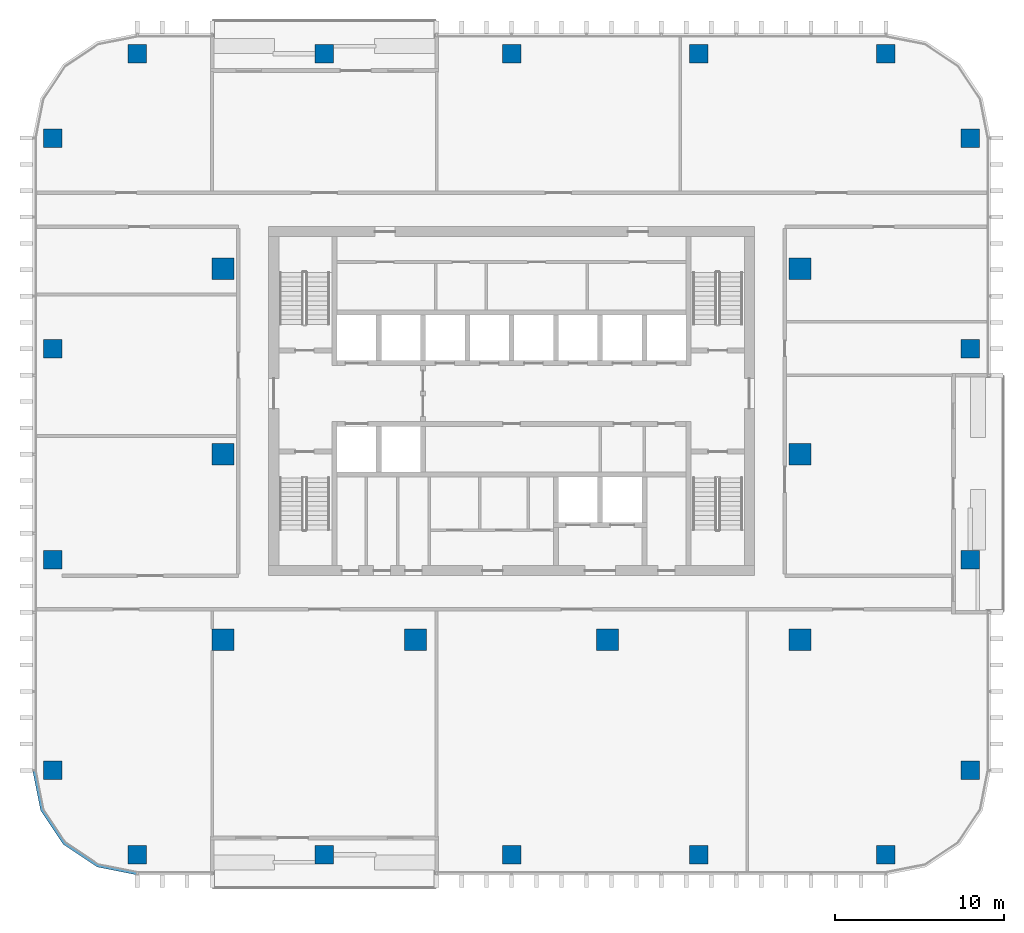
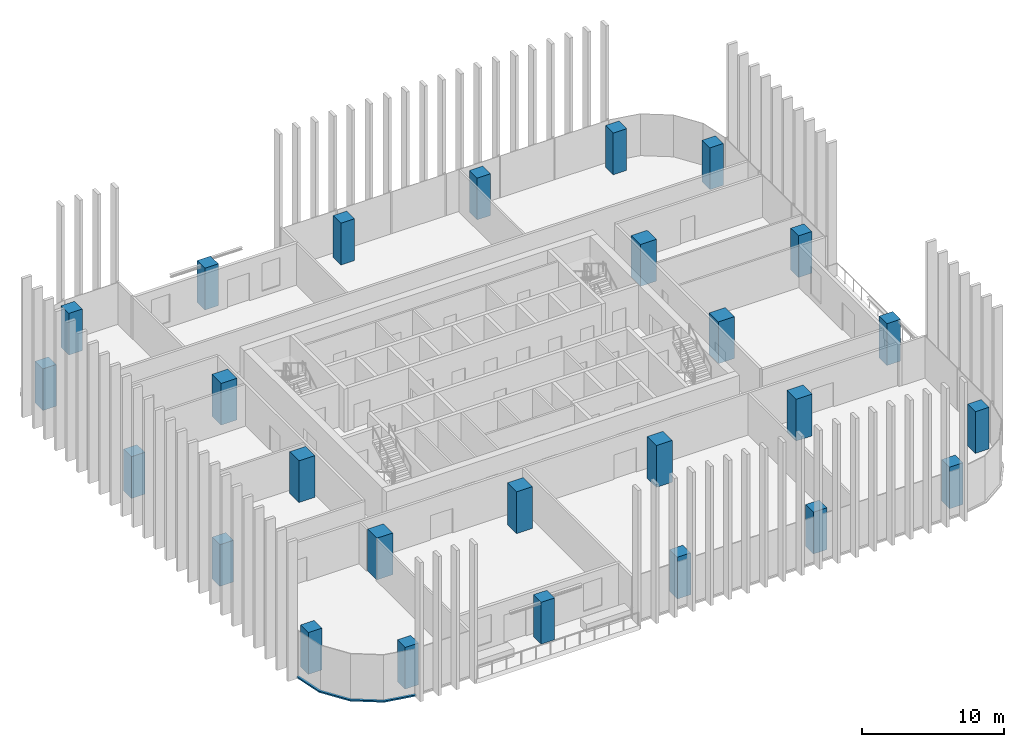
# One storey, part 1 of 15: 26 columns, 1 member, 1 element without a shape of its own.
"""IFC4 building model written with IfcOpenShell, lengths in metres."""

from ifc_helpers import new_model, si_unit, direction, frame, origin, origin_2d, place, context, subcontext, project, spatial, polyline, rectangle, outline, extrude, material, material_profile, profile_set, type_object, element, aggregate, save


model = new_model("IFC4")

# Units and contexts
model_context = context("Model", 3, precision=1e-05, world=origin(), true_north=direction((0.0, 1.0)))
body_context = subcontext(model_context, "Body", "Model", "MODEL_VIEW")
ifc_project = project(units=[si_unit("LENGTHUNIT", "METRE"), si_unit("AREAUNIT", "SQUARE_METRE"), si_unit("VOLUMEUNIT", "CUBIC_METRE"), si_unit("PLANEANGLEUNIT", "RADIAN"), si_unit("MASSUNIT", "GRAM", prefix="KILO")], contexts=[model_context])

# Site, building, storey
site_placement = place(None, origin())
site = spatial("IfcSite", under=ifc_project, at=site_placement, CompositionType="ELEMENT")
building_placement = place(site_placement, origin())
building = spatial("IfcBuilding", under=site, at=building_placement, Name="Mopane Tessera Tower", CompositionType="ELEMENT")
storey_placement = place(building_placement, frame((0.0, 0.0, 223.0)))
storey = spatial("IfcBuildingStorey", under=building, at=storey_placement, Name="L47", CompositionType="ELEMENT", Elevation=223.0)

# Columns
ifc_material_1 = material(Name="Concrete C50/60", Category="concrete")
ifc_material_profile_1 = material_profile(ifc_material_1, rectangle(XDim=1.300048828125, YDim=1.300048828125, at=origin_2d()))
ifc_profile_set_1 = profile_set([ifc_material_profile_1], Name="Concrete C50/60")
column_type_1 = type_object("IfcColumnType", Name="Interior column 1300 x 1300 C50/60", PredefinedType="COLUMN", material=ifc_profile_set_1)
for number, where, z_axis, x_axis, name in (
    (1, (-17.10009765625, -11.0, 0.0), (0.0, 0.0, 1.0), (1.0, 0.0, 0.0), "Interior column I1A L47"),
    (2, (-17.10009765625, 0.0, 0.0), (0.0, 0.0, 1.0), (1.0, 0.0, 0.0), "Interior column I1B L47"),
    (3, (-17.10009765625, 11.0, 0.0), (0.0, 0.0, 1.0), (1.0, 0.0, 0.0), "Interior column I1C L47"),
    (4, (-5.699951171875, -11.0, 0.0), (0.0, 0.0, 1.0), (1.0, 0.0, 0.0), "Interior column I2A L47"),
    (5, (5.699951171875, -11.0, 0.0), (0.0, 0.0, 1.0), (1.0, 0.0, 0.0), "Interior column I3A L47"),
    (6, (17.10009765625, -11.0, 0.0), (0.0, 0.0, 1.0), (1.0, 0.0, 0.0), "Interior column I4A L47"),
    (7, (17.10009765625, 0.0, 0.0), (0.0, 0.0, 1.0), (1.0, 0.0, 0.0), "Interior column I4B L47"),
    (8, (17.10009765625, 11.0, 0.0), (0.0, 0.0, 1.0), (1.0, 0.0, 0.0), "Interior column I4C L47"),
):
    element("IfcColumn", number, at=place(storey_placement, frame(where, z_axis=z_axis, x_axis=x_axis)), inside=storey, type_object=column_type_1, Name=name, PredefinedType="COLUMN", context=body_context, shape_type="SweptSolid", body=[
        extrude(rectangle(XDim=1.300048828125, YDim=1.300048828125, at=origin_2d()), origin(), (0.0, 0.0, 1.0), 3.60009765625),
    ])
ifc_material_2 = material(Name="Concrete C50/60", Category="concrete")
ifc_material_profile_2 = material_profile(ifc_material_2, rectangle(XDim=1.10009765625, YDim=1.10009765625, at=origin_2d()))
ifc_profile_set_2 = profile_set([ifc_material_profile_2], Name="Concrete C50/60")
column_type_2 = type_object("IfcColumnType", Name="Ring column 1100 x 1100 C50/60", PredefinedType="COLUMN", material=ifc_profile_set_2)
for number, where, z_axis, x_axis, name in (
    (9, (-22.199951171875, -23.75, 0.0), (0.0, 0.0, 1.0), (1.0, 0.0, 0.0), "Ring column S0 L47"),
    (10, (-11.10009765625, -23.75, 0.0), (0.0, 0.0, 1.0), (1.0, 0.0, 0.0), "Ring column S1 L47"),
    (11, (0.0, -23.75, 0.0), (0.0, 0.0, 1.0), (1.0, 0.0, 0.0), "Ring column S2 L47"),
    (12, (11.10009765625, -23.75, 0.0), (0.0, 0.0, 1.0), (1.0, 0.0, 0.0), "Ring column S3 L47"),
    (13, (22.199951171875, -23.75, 0.0), (0.0, 0.0, 1.0), (1.0, 0.0, 0.0), "Ring column S4 L47"),
    (14, (27.199951171875, -18.75, 0.0), (0.0, 0.0, 1.0), (1.0, 0.0, 0.0), "Ring column E0 L47"),
    (15, (27.199951171875, -6.25, 0.0), (0.0, 0.0, 1.0), (1.0, 0.0, 0.0), "Ring column E1 L47"),
    (16, (27.199951171875, 6.25, 0.0), (0.0, 0.0, 1.0), (1.0, 0.0, 0.0), "Ring column E2 L47"),
    (17, (27.199951171875, 18.75, 0.0), (0.0, 0.0, 1.0), (1.0, 0.0, 0.0), "Ring column E3 L47"),
    (18, (22.199951171875, 23.75, 0.0), (0.0, 0.0, 1.0), (1.0, 0.0, 0.0), "Ring column N0 L47"),
    (19, (11.10009765625, 23.75, 0.0), (0.0, 0.0, 1.0), (1.0, 0.0, 0.0), "Ring column N1 L47"),
    (20, (0.0, 23.75, 0.0), (0.0, 0.0, 1.0), (1.0, 0.0, 0.0), "Ring column N2 L47"),
    (21, (-11.10009765625, 23.75, 0.0), (0.0, 0.0, 1.0), (1.0, 0.0, 0.0), "Ring column N3 L47"),
    (22, (-22.199951171875, 23.75, 0.0), (0.0, 0.0, 1.0), (1.0, 0.0, 0.0), "Ring column N4 L47"),
    (23, (-27.199951171875, 18.75, 0.0), (0.0, 0.0, 1.0), (1.0, 0.0, 0.0), "Ring column W0 L47"),
    (24, (-27.199951171875, 6.25, 0.0), (0.0, 0.0, 1.0), (1.0, 0.0, 0.0), "Ring column W1 L47"),
    (25, (-27.199951171875, -6.25, 0.0), (0.0, 0.0, 1.0), (1.0, 0.0, 0.0), "Ring column W2 L47"),
    (26, (-27.199951171875, -18.75, 0.0), (0.0, 0.0, 1.0), (1.0, 0.0, 0.0), "Ring column W3 L47"),
):
    element("IfcColumn", number, at=place(storey_placement, frame(where, z_axis=z_axis, x_axis=x_axis)), inside=storey, type_object=column_type_2, Name=name, PredefinedType="COLUMN", context=body_context, shape_type="SweptSolid", body=[
        extrude(rectangle(XDim=1.10009765625, YDim=1.10009765625, at=origin_2d()), origin(), (0.0, 0.0, 1.0), 3.60009765625),
    ])

# Curtain wall, member
ifc_material_3 = material(Name="Aluminium frame", Category="aluminium")
curtain_wall_type = type_object("IfcCurtainWallType", Name="Unitised curtain wall", PredefinedType="NOTDEFINED", material=ifc_material_3)
curtain_wall_placement = place(storey_placement, origin())
curtain_wall = element("IfcCurtainWall", 27, at=curtain_wall_placement, inside=storey, type_object=curtain_wall_type, Name="e:cw:L47:CW", PredefinedType="NOTDEFINED")
ifc_material_4 = material(Name="Aluminium frame", Category="aluminium")
ifc_material_profile_3 = material_profile(ifc_material_4, rectangle(XDim=0.199951171875, YDim=0.1201171875, at=origin_2d()))
ifc_profile_set_3 = profile_set([ifc_material_profile_3], Name="Aluminium frame")
member_type = type_object("IfcMemberType", Name="Aluminium transom 200 x 120", PredefinedType="USERDEFINED", material=ifc_profile_set_3)
member_placement = place(storey_placement, frame((0.0, 0.0, -0.39990234375)))
member = element("IfcMember", 28, at=member_placement, type_object=member_type, Name="e:cw:L47:CW:tr", ObjectType="TRANSOM", PredefinedType="USERDEFINED", context=body_context, shape_type="SweptSolid", body=[
    extrude(outline(polyline([(-28.199951171875, -18.75), (-27.7431640625, -21.046142578125), (-26.442626953125, -22.99267578125), (-24.49609375, -24.293212890625), (-22.199951171875, -24.75), (-22.199951171875, -24.949951171875), (-24.57275390625, -24.47802734375), (-26.583984375, -23.134033203125), (-27.927978515625, -21.12255859375), (-28.39990234375, -18.75), (-28.199951171875, -18.75)])), origin(), (0.0, 0.0, 1.0), 0.119873046875),
])
aggregate(curtain_wall, [member])

save(model, "model.ifc")
